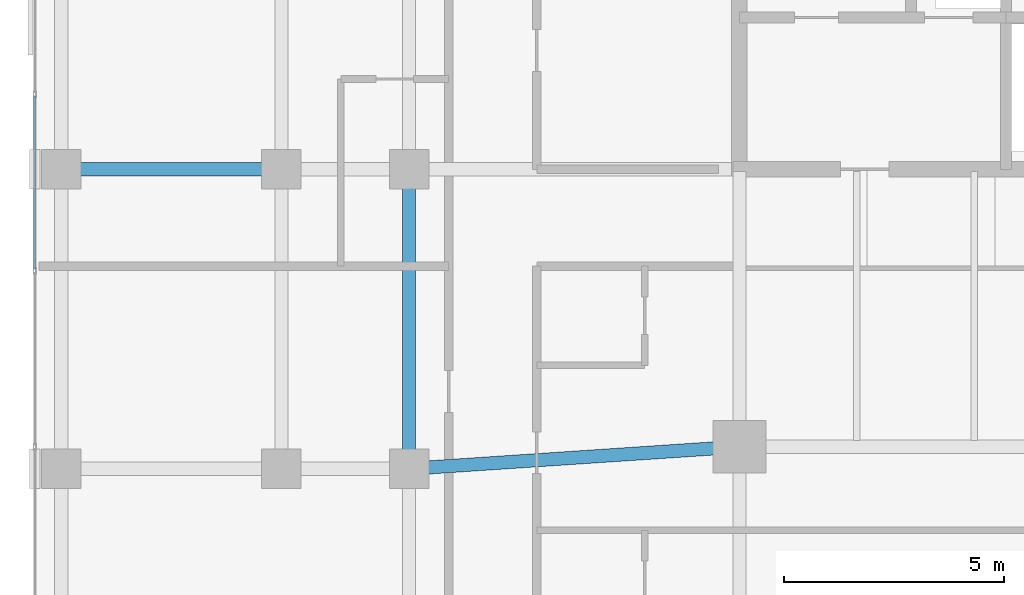
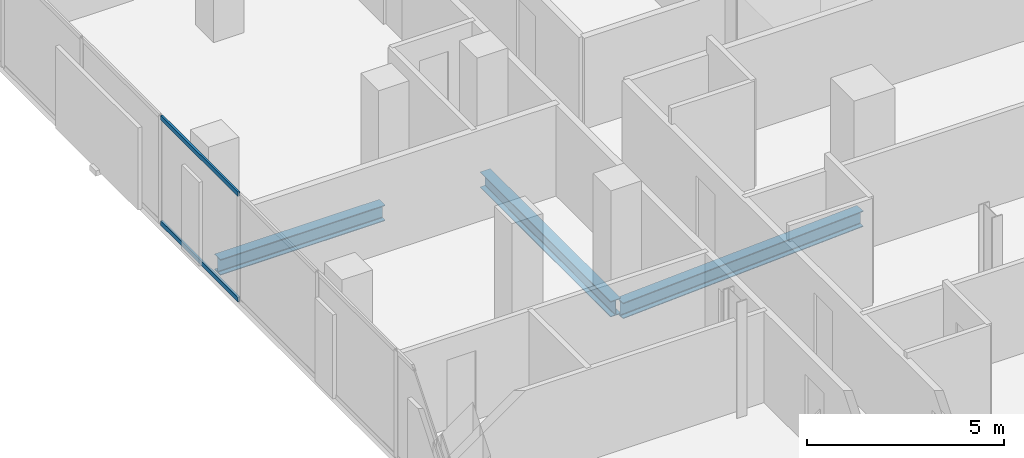
# One storey, part 10 of 35: 3 beams, 2 members, 1 element without a shape of its own.
"""IFC4 building model written with IfcOpenShell, lengths in metres."""

from ifc_helpers import new_model, si_unit, direction, frame, origin, origin_2d, place, context, subcontext, project, spatial, hollow_rectangle, i_section, extrude, material, layer, layer_set, material_profile, profile_set, type_object, element, aggregate, save


model = new_model("IFC4")

# Units and contexts
model_context = context("Model", 3, precision=1e-05, world=origin(), true_north=direction((0.0, 1.0)))
body_context = subcontext(model_context, "Body", "Model", "MODEL_VIEW")
ifc_project = project(units=[si_unit("LENGTHUNIT", "METRE"), si_unit("AREAUNIT", "SQUARE_METRE"), si_unit("VOLUMEUNIT", "CUBIC_METRE"), si_unit("PLANEANGLEUNIT", "RADIAN"), si_unit("MASSUNIT", "GRAM", prefix="KILO")], contexts=[model_context])

# Site, building, storey
site_placement = place(None, origin())
site = spatial("IfcSite", under=ifc_project, at=site_placement, CompositionType="ELEMENT")
building_placement = place(site_placement, origin())
building = spatial("IfcBuilding", under=site, at=building_placement, Name="Catumbela Crestline Tower", CompositionType="ELEMENT")
storey_placement = place(building_placement, frame((0.0, 0.0, 90.0)))
storey = spatial("IfcBuildingStorey", under=building, at=storey_placement, Name="L22", CompositionType="ELEMENT", Elevation=90.0)

# Beams
ifc_material_1 = material(Name="Structural steel S355J2", Category="steel")
ifc_material_profile_1 = material_profile(ifc_material_1, i_section(OverallWidth=0.3, OverallDepth=0.49, WebThickness=0.012, FlangeThickness=0.023, FilletRadius=0.027, at=origin_2d()), Name="HEA 500")
ifc_profile_set_1 = profile_set([ifc_material_profile_1], Name="Structural steel S355J2")
beam_type = type_object("IfcBeamType", Name="BG-HEA500", PredefinedType="BEAM", material=ifc_profile_set_1)
beam_1_placement = place(storey_placement, frame((8.5798, 24.0053, -0.505), z_axis=(0.997784796964, 0.066524423687, 0.0), x_axis=(-0.066524423687, 0.997784796964, 0.0)))
element("IfcBeam", 1, at=beam_1_placement, inside=storey, type_object=beam_type, Name="L22 Beam BM-L22-S03", PredefinedType="BEAM", context=body_context, shape_type="SweptSolid", body=[
    extrude(i_section(OverallWidth=0.3, OverallDepth=0.49, WebThickness=0.012, FlangeThickness=0.023, FilletRadius=0.027, at=origin_2d()), origin(), (0.0, 0.0, 1.0), 7.3567),
])
beam_2_placement = place(storey_placement, frame((0.68, 30.8, -0.505), z_axis=(1.0, 0.0, 0.0), x_axis=(0.0, 1.0, 0.0)))
element("IfcBeam", 2, at=beam_2_placement, inside=storey, type_object=beam_type, Name="L22 Beam BM-L22-M07", PredefinedType="BEAM", context=body_context, shape_type="SweptSolid", body=[
    extrude(i_section(OverallWidth=0.3, OverallDepth=0.49, WebThickness=0.012, FlangeThickness=0.023, FilletRadius=0.027, at=origin_2d()), origin(), (0.0, 0.0, 1.0), 4.84),
])
beam_3_placement = place(storey_placement, frame((8.5, 24.08, -0.505), z_axis=(0.0, 1.0, 0.0), x_axis=(-1.0, 0.0, 0.0)))
element("IfcBeam", 3, at=beam_3_placement, inside=storey, type_object=beam_type, Name="L22 Beam BM-L22-SN26", PredefinedType="BEAM", context=body_context, shape_type="SweptSolid", body=[
    extrude(i_section(OverallWidth=0.3, OverallDepth=0.49, WebThickness=0.012, FlangeThickness=0.023, FilletRadius=0.027, at=origin_2d()), origin(), (0.0, 0.0, 1.0), 6.64),
])

# Curtain wall, members
ifc_material_2 = material(Name="Aluminium alloy AW-6060-T66", Category="aluminium")
ifc_layer = layer(ifc_material_2, 0.18, Name="Aluminium alloy AW-6060-T66")
ifc_layer_set = layer_set([ifc_layer], Name="Aluminium alloy AW-6060-T66")
curtain_wall_type = type_object("IfcCurtainWallType", Name="CWU-Z2", PredefinedType="USERDEFINED", material=ifc_layer_set)
curtain_wall_placement = place(storey_placement, origin())
curtain_wall = element("IfcCurtainWall", 4, at=curtain_wall_placement, inside=storey, type_object=curtain_wall_type, Name="L22 Unitised Curtain Wall CW-L22-E9S1", ObjectType="UNITISED", PredefinedType="USERDEFINED")
ifc_material_profile_2 = material_profile(ifc_material_2, hollow_rectangle(XDim=0.06, YDim=0.14, WallThickness=0.004, at=origin_2d()), Name="ALU 140x60x4")
ifc_profile_set_2 = profile_set([ifc_material_profile_2], Name="Aluminium alloy AW-6060-T66")
member_type = type_object("IfcMemberType", Name="TRN-140X60", PredefinedType="USERDEFINED", material=ifc_profile_set_2)
member_1_placement = place(storey_placement, frame((0.0, 32.4675, 0.03), z_axis=(0.0, -1.0, 0.0), x_axis=(1.0, 0.0, 0.0)))
member_1 = element("IfcMember", 5, at=member_1_placement, type_object=member_type, Name="CWU-Z2 transom 4.1", ObjectType="TRANSOM", PredefinedType="USERDEFINED", context=body_context, shape_type="SweptSolid", body=[
    extrude(hollow_rectangle(XDim=0.06, YDim=0.14, WallThickness=0.004, at=origin_2d()), origin(), (0.0, 0.0, 1.0), 3.935),
])
member_2_placement = place(storey_placement, frame((0.0, 32.4675, 3.3), z_axis=(0.0, -1.0, 0.0), x_axis=(1.0, 0.0, 0.0)))
member_2 = element("IfcMember", 6, at=member_2_placement, type_object=member_type, Name="CWU-Z2 transom 4.2", ObjectType="TRANSOM", PredefinedType="USERDEFINED", context=body_context, shape_type="SweptSolid", body=[
    extrude(hollow_rectangle(XDim=0.06, YDim=0.14, WallThickness=0.004, at=origin_2d()), origin(), (0.0, 0.0, 1.0), 3.935),
])
aggregate(curtain_wall, [member_1, member_2])

save(model, "model.ifc")
